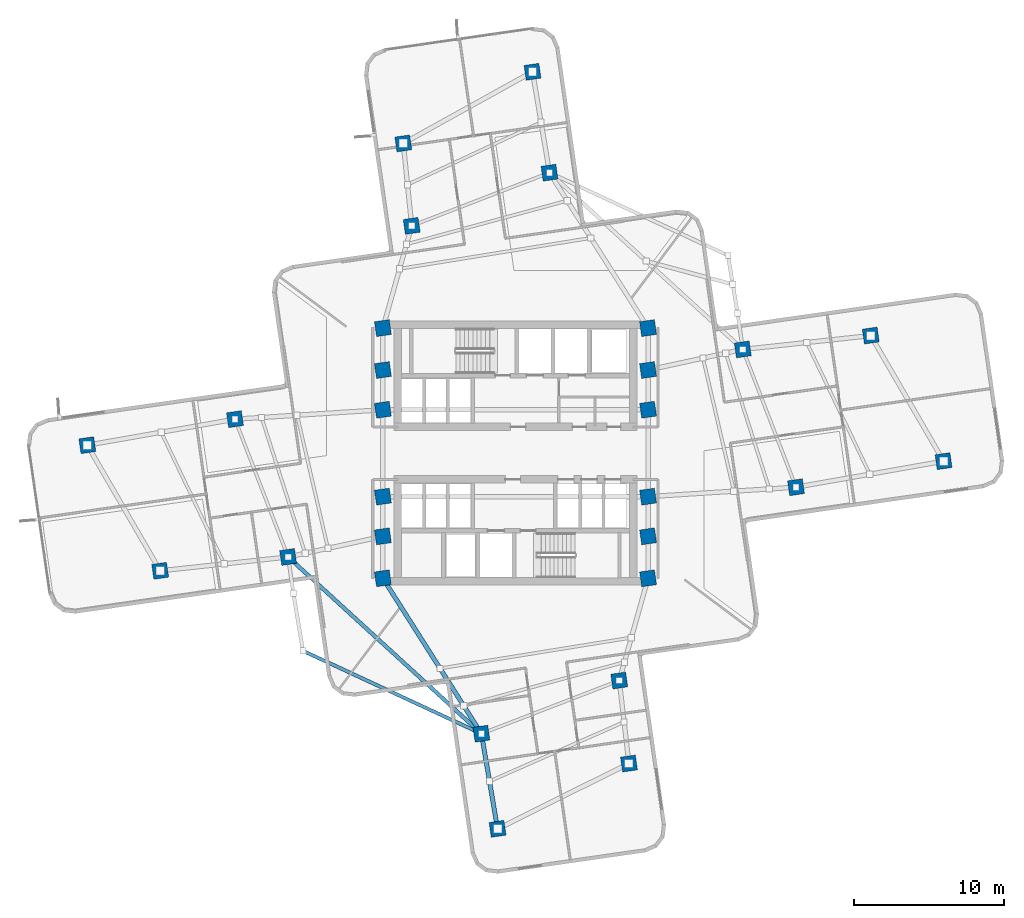
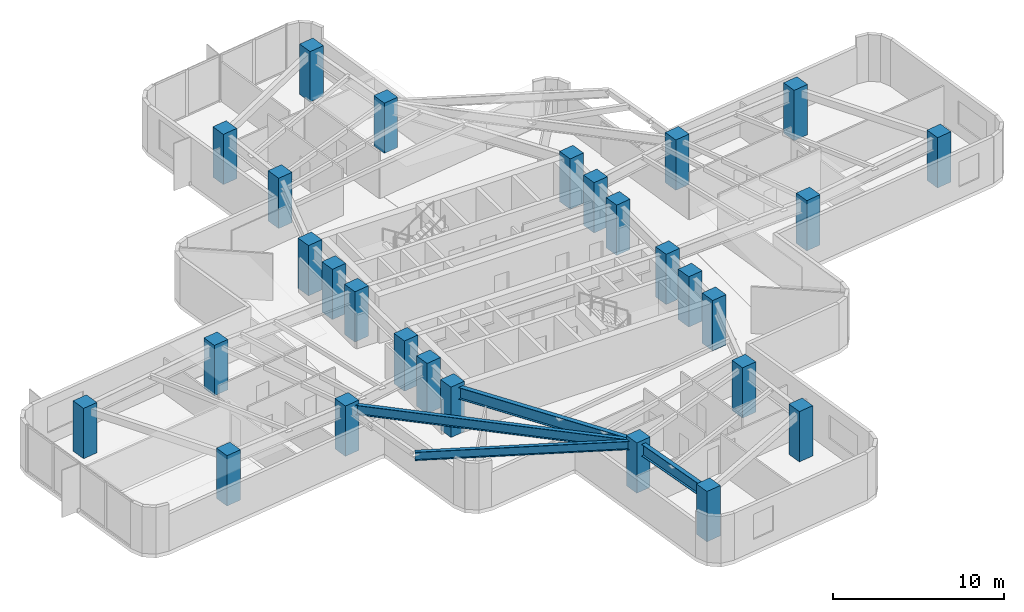
# One storey, part 1 of 13: 28 columns, 4 beams.
"""IFC4 building model written with IfcOpenShell, lengths in metres."""

import ifcopenshell
import ifcopenshell.guid

model = None  # the IFC model being written
_history = None  # IfcOwnerHistory: only IFC2X3 demands one
_inside = {}  # id of a spatial element -> (the spatial element, [elements in it])
_under = {}  # id of a project, library or spatial element -> (it, [spatial elements below it])
_declared = {}  # id of a project -> (the project, [libraries it declares])
_typed = {}  # id of a type object -> (the type object, [elements of that type])
_made_of = {}  # id of a material, layer set ... -> (it, [elements and type objects made of it])


def new_model(schema):
    """Start an empty IFC model of exactly this schema.

    Asked for "IFC4X3", IfcOpenShell would pick the latest addendum, in which some entities
    have other attributes; the version numbers below select the first issue.
    IFC2X3 requires an IfcOwnerHistory on every rooted entity: one is made here for all.
    """
    global model, _history
    if schema == "IFC4X3":
        model = ifcopenshell.file(schema_version=(4, 3, 0, 0))
    else:
        model = ifcopenshell.file(schema=schema)
    _inside.clear()
    _under.clear()
    _declared.clear()
    _typed.clear()
    _made_of.clear()
    _history = None
    if model.schema == "IFC2X3":
        org = make("IfcOrganization", Name="unknown")
        user = make(
            "IfcPersonAndOrganization",
            ThePerson=make("IfcPerson", FamilyName="unknown"),
            TheOrganization=org,
        )
        app = make(
            "IfcApplication",
            ApplicationDeveloper=org,
            Version="unknown",
            ApplicationFullName="unknown",
            ApplicationIdentifier="unknown",
        )
        _history = make(
            "IfcOwnerHistory",
            OwningUser=user,
            OwningApplication=app,
            ChangeAction="ADDED",
            CreationDate=0,
        )
    return model


def make(cls, **values):
    """One entity of the class cls with the attributes given. An attribute that is None is left unset."""
    return model.create_entity(
        cls, **{name: value for name, value in values.items() if value is not None}
    )


def rooted(cls, **values):
    """An entity with a GlobalId (a new one), such as an element, a storey or a relation."""
    return make(cls, GlobalId=ifcopenshell.guid.new(), OwnerHistory=_history, **values)


def si_unit(unit_type, name, prefix=None):
    """IfcSIUnit, for example si_unit("LENGTHUNIT", "METRE", prefix="MILLI")."""
    return make("IfcSIUnit", UnitType=unit_type, Prefix=prefix, Name=name)


def assignment(units):
    """IfcUnitAssignment: the units of a project."""
    return None if units is None else make("IfcUnitAssignment", Units=units)


def point(xyz):
    """IfcCartesianPoint."""
    return None if xyz is None else make("IfcCartesianPoint", Coordinates=xyz)


def direction(xyz):
    """IfcDirection."""
    return None if xyz is None else make("IfcDirection", DirectionRatios=xyz)


def frame(location, z_axis=None, x_axis=None):
    """IfcAxis2Placement3D, a coordinate frame: its origin and axes. An axis left out is left unset."""
    return make(
        "IfcAxis2Placement3D",
        Location=point(location),
        Axis=direction(z_axis),
        RefDirection=direction(x_axis),
    )


def frame_2d(location, x_axis=None):
    """IfcAxis2Placement2D, a coordinate frame in the plane: its origin and x axis."""
    return make(
        "IfcAxis2Placement2D", Location=point(location), RefDirection=direction(x_axis)
    )


def origin():
    """The frame at (0, 0, 0) with its axes left unset."""
    return frame((0.0, 0.0, 0.0))


def origin_2d():
    """The frame at (0, 0) in the plane with its x axis left unset."""
    return frame_2d((0.0, 0.0))


def place(relative_to, where):
    """IfcLocalPlacement: puts the frame where relative to a parent placement (None: the world)."""
    return make(
        "IfcLocalPlacement", PlacementRelTo=relative_to, RelativePlacement=where
    )


def context(
    kind, dimensions, precision=None, world=None, true_north=None, identifier=None
):
    """IfcGeometricRepresentationContext, for example the 3D "Model" context."""
    return make(
        "IfcGeometricRepresentationContext",
        ContextIdentifier=identifier,
        ContextType=kind,
        CoordinateSpaceDimension=dimensions,
        Precision=precision,
        WorldCoordinateSystem=world,
        TrueNorth=true_north,
    )


def subcontext(parent, identifier, kind, view, scale=None):
    """IfcGeometricRepresentationSubContext, for example "Body" below "Model"."""
    return make(
        "IfcGeometricRepresentationSubContext",
        ContextIdentifier=identifier,
        ContextType=kind,
        ParentContext=parent,
        TargetScale=scale,
        TargetView=view,
    )


def project(units=None, contexts=None):
    """IfcProject with its units and contexts."""
    return rooted(
        "IfcProject",
        Name="project",
        RepresentationContexts=contexts,
        UnitsInContext=assignment(units),
    )


def spatial(cls, under=None, at=None, **own):
    """A site, building, storey or space (cls), placed at a placement, below another one or the project."""
    s = rooted(cls, ObjectPlacement=at, **own)
    if under is not None:
        _under.setdefault(under.id(), (under, []))[1].append(s)
    return s


def profile(cls, at=None, kind="AREA", **sizes):
    """A parametric profile (cls). Its sizes go by their IFC names, for example OverallWidth=200.0."""
    return make(cls, ProfileType=kind, Position=at, **sizes)


def rectangle(**sizes):
    """IfcRectangleProfileDef."""
    return profile("IfcRectangleProfileDef", **sizes)


def i_section(**sizes):
    """IfcIShapeProfileDef."""
    return profile("IfcIShapeProfileDef", **sizes)


def extrude(swept, where, along, depth):
    """IfcExtrudedAreaSolid: the profile swept, set in the frame where, extruded along a direction by depth."""
    return make(
        "IfcExtrudedAreaSolid",
        SweptArea=swept,
        Position=where,
        ExtrudedDirection=direction(along),
        Depth=depth,
    )


def shape(context_of_items, identifier, shape_type, items):
    """IfcShapeRepresentation: the items that make up one representation, for example the "Body"."""
    return make(
        "IfcShapeRepresentation",
        ContextOfItems=context_of_items,
        RepresentationIdentifier=identifier,
        RepresentationType=shape_type,
        Items=items,
    )


def material(Name=None, Category=None):
    """IfcMaterial."""
    return make("IfcMaterial", Name=Name, Category=Category)


def material_profile(
    of_material, cross_section, Name=None, Category=None, Priority=None
):
    """IfcMaterialProfile: a cross section and its material."""
    return make(
        "IfcMaterialProfile",
        Name=Name,
        Material=of_material,
        Profile=cross_section,
        Priority=Priority,
        Category=Category,
    )


def profile_set(profiles, Name=None, composite=None):
    """IfcMaterialProfileSet."""
    return make(
        "IfcMaterialProfileSet",
        Name=Name,
        MaterialProfiles=profiles,
        CompositeProfile=composite,
    )


def made_of(thing, what):
    """Note that an element or type object is made of a material, layer set ...; save() writes the relation."""
    if what is not None:
        _made_of.setdefault(what.id(), (what, []))[1].append(thing)
    return thing


def type_object(cls, material=None, **own):
    """A type object (cls), such as IfcWallType, which elements share."""
    return made_of(rooted(cls, **own), material)


def element(
    cls,
    number,
    at=None,
    inside=None,
    cuts=None,
    type_object=None,
    material=None,
    context=None,
    identifier="Body",
    shape_type=None,
    held_by="IfcProductDefinitionShape",
    body=None,
    shapes=None,
    **own,
):
    """One element of the class cls, such as IfcWall. Its Tag is "e" and its number.

    at: its placement. inside: the storey or other place that contains it. cuts: it is an
    opening in that element (IfcRelVoidsElement). A single representation is given by context,
    identifier, shape_type and body (its items); several are given by shapes. held_by: the class
    of the entity that holds the representations. save() writes the other relations.
    """
    e = rooted(cls, Tag="e%d" % number, ObjectPlacement=at, **own)
    if body is not None:
        shapes = [shape(context, identifier, shape_type, body)]
    if shapes is not None:
        e.Representation = make(held_by, Representations=shapes)
    if inside is not None:
        _inside.setdefault(inside.id(), (inside, []))[1].append(e)
    if cuts is not None:
        rooted(
            "IfcRelVoidsElement", RelatingBuildingElement=cuts, RelatedOpeningElement=e
        )
    if type_object is not None:
        _typed.setdefault(type_object.id(), (type_object, []))[1].append(e)
    return made_of(e, material)


def aggregate(whole, parts):
    """IfcRelAggregates: a whole, such as a stair, and the parts it consists of."""
    return rooted("IfcRelAggregates", RelatingObject=whole, RelatedObjects=parts)


def save(model, path):
    """Write the relations noted so far, then the file.

    IfcRelAggregates (storeys below a building ...), IfcRelContainedInSpatialStructure (elements
    in a storey), IfcRelDefinesByType, IfcRelAssociatesMaterial and IfcRelDeclares: one each for
    every whole, place, type object, material and project.
    """
    for whole, parts in _under.values():
        aggregate(whole, parts)
    for where, things in _inside.values():
        rooted(
            "IfcRelContainedInSpatialStructure",
            RelatedElements=things,
            RelatingStructure=where,
        )
    for kind, things in _typed.values():
        rooted("IfcRelDefinesByType", RelatedObjects=things, RelatingType=kind)
    for what, things in _made_of.values():
        rooted("IfcRelAssociatesMaterial", RelatedObjects=things, RelatingMaterial=what)
    for by, libraries in _declared.values():
        rooted("IfcRelDeclares", RelatingContext=by, RelatedDefinitions=libraries)
    model.write(path)


model = new_model("IFC4")

# Units and contexts
model_context = context("Model", 3, precision=1e-05, world=origin(), true_north=direction((0.0, 1.0)))
body_context = subcontext(model_context, "Body", "Model", "MODEL_VIEW")
ifc_project = project(units=[si_unit("LENGTHUNIT", "METRE"), si_unit("AREAUNIT", "SQUARE_METRE"), si_unit("VOLUMEUNIT", "CUBIC_METRE"), si_unit("PLANEANGLEUNIT", "RADIAN"), si_unit("MASSUNIT", "GRAM", prefix="KILO")], contexts=[model_context])

# Site, building, storey
site_placement = place(None, origin())
site = spatial("IfcSite", under=ifc_project, at=site_placement, CompositionType="ELEMENT")
building_placement = place(site_placement, origin())
building = spatial("IfcBuilding", under=site, at=building_placement, Name="Solmarez Civic Tower", CompositionType="ELEMENT")
storey_placement = place(building_placement, frame((0.0, 0.0, 89.280029296875)))
storey = spatial("IfcBuildingStorey", under=building, at=storey_placement, Name="L23", CompositionType="ELEMENT", Elevation=89.280029296875)

# Columns
ifc_material_1 = material(Name="Concrete C60/75", Category="concrete")
ifc_material_profile_1 = material_profile(ifc_material_1, rectangle(XDim=1.0, YDim=1.0, at=origin_2d()), Name="RC1000X1000")
ifc_profile_set_1 = profile_set([ifc_material_profile_1], Name="Concrete C60/75")
column_type = type_object("IfcColumnType", Name="COL-RC1000", PredefinedType="COLUMN", material=ifc_profile_set_1)
for number, where, z_axis, x_axis, name in (
    (1, (-8.85009765625, -5.550048828125, 0.0), (0.0, 0.0, 1.0), (0.989776230908, 0.142628933706, 0.0), "L23 Structural Column HC1"),
    (2, (-8.85009765625, -2.89990234375, 0.0), (0.0, 0.0, 1.0), (0.989776230908, 0.142628933706, 0.0), "L23 Structural Column HC2"),
    (3, (-8.85009765625, 2.89990234375, 0.0), (0.0, 0.0, 1.0), (0.989776230908, 0.142628933706, 0.0), "L23 Structural Column HC3"),
    (4, (-8.85009765625, 5.550048828125, 0.0), (0.0, 0.0, 1.0), (0.989776230908, 0.142628933706, 0.0), "L23 Structural Column HC4"),
    (5, (8.85009765625, -5.550048828125, 0.0), (0.0, 0.0, 1.0), (0.989776230908, 0.142628933706, 0.0), "L23 Structural Column HC5"),
    (6, (8.85009765625, -2.89990234375, 0.0), (0.0, 0.0, 1.0), (0.989776230908, 0.142628933706, 0.0), "L23 Structural Column HC6"),
    (7, (8.85009765625, 2.89990234375, 0.0), (0.0, 0.0, 1.0), (0.989776230908, 0.142628933706, 0.0), "L23 Structural Column HC7"),
    (8, (8.85009765625, 5.550048828125, 0.0), (0.0, 0.0, 1.0), (0.989776230908, 0.142628933706, 0.0), "L23 Structural Column HC8"),
    (9, (-8.85009765625, 8.35009765625, 0.0), (0.0, 0.0, 1.0), (0.989776230908, 0.142628933706, 0.0), "L23 Structural Column HC9"),
    (10, (8.85009765625, -8.35009765625, 0.0), (0.0, 0.0, 1.0), (0.989776230908, 0.142628933706, 0.0), "L23 Structural Column HC10"),
    (11, (8.85009765625, 8.35009765625, 0.0), (0.0, 0.0, 1.0), (0.989776230908, 0.142628933706, 0.0), "L23 Structural Column HC11"),
    (12, (-8.85009765625, -8.35009765625, 0.0), (0.0, 0.0, 1.0), (0.989776230908, 0.142628933706, 0.0), "L23 Structural Column HC12"),
    (13, (18.72412109375, -2.27099609375, 0.0), (0.0, 0.0, 1.0), (0.989776230908, 0.142628933706, 0.0), "L23 Structural Column EA11"),
    (14, (15.175048828125, 6.927001953125, 0.0), (0.0, 0.0, 1.0), (0.989776230908, 0.142628933706, 0.0), "L23 Structural Column EA12"),
    (15, (28.575927734375, -0.532958984375, 0.0), (0.0, 0.0, 1.0), (0.989776230908, 0.142628933706, 0.0), "L23 Structural Column EA21"),
    (16, (23.715087890625, 7.85107421875, 0.0), (0.0, 0.0, 1.0), (0.989776230908, 0.142628933706, 0.0), "L23 Structural Column EA22"),
    (17, (2.27099609375, 18.72412109375, 0.0), (0.0, 0.0, 1.0), (0.989776230908, 0.142628933706, 0.0), "L23 Structural Column NA11"),
    (18, (-6.927001953125, 15.175048828125, 0.0), (0.0, 0.0, 1.0), (0.989776230908, 0.142628933706, 0.0), "L23 Structural Column NA12"),
    (19, (1.138916015625, 25.45703125, 0.0), (0.0, 0.0, 1.0), (0.989776230908, 0.142628933706, 0.0), "L23 Structural Column NA21"),
    (20, (-7.489013671875, 20.678955078125, 0.0), (0.0, 0.0, 1.0), (0.989776230908, 0.142628933706, 0.0), "L23 Structural Column NA22"),
    (21, (-18.72412109375, 2.27099609375, 0.0), (0.0, 0.0, 1.0), (0.989776230908, 0.142628933706, 0.0), "L23 Structural Column WA11"),
    (22, (-15.175048828125, -6.927001953125, 0.0), (0.0, 0.0, 1.0), (0.989776230908, 0.142628933706, 0.0), "L23 Structural Column WA12"),
    (23, (-28.575927734375, 0.532958984375, 0.0), (0.0, 0.0, 1.0), (0.989776230908, 0.142628933706, 0.0), "L23 Structural Column WA21"),
    (24, (-23.715087890625, -7.85107421875, 0.0), (0.0, 0.0, 1.0), (0.989776230908, 0.142628933706, 0.0), "L23 Structural Column WA22"),
    (25, (-2.27099609375, -18.72412109375, 0.0), (0.0, 0.0, 1.0), (0.989776230908, 0.142628933706, 0.0), "L23 Structural Column SA11"),
    (26, (6.927001953125, -15.175048828125, 0.0), (0.0, 0.0, 1.0), (0.989776230908, 0.142628933706, 0.0), "L23 Structural Column SA12"),
    (27, (-1.195068359375, -25.073974609375, 0.0), (0.0, 0.0, 1.0), (0.989776230908, 0.142628933706, 0.0), "L23 Structural Column SA21"),
    (28, (7.573974609375, -20.714111328125, 0.0), (0.0, 0.0, 1.0), (0.989776230908, 0.142628933706, 0.0), "L23 Structural Column SA22"),
):
    element("IfcColumn", number, at=place(storey_placement, frame(where, z_axis=z_axis, x_axis=x_axis)), inside=storey, type_object=column_type, Name=name, PredefinedType="COLUMN", context=body_context, shape_type="SweptSolid", body=[
        extrude(rectangle(XDim=1.0, YDim=1.0, at=origin_2d()), origin(), (0.0, 0.0, 1.0), 3.599853515625),
    ])

# Beams
ifc_material_2 = material(Name="Steel S355", Category="steel")
ifc_material_profile_2 = material_profile(ifc_material_2, i_section(OverallWidth=0.25390625, OverallDepth=0.68798828125, WebThickness=0.01318359375, FlangeThickness=0.02099609375, at=origin_2d()), Name="W27X102")
ifc_profile_set_2 = profile_set([ifc_material_profile_2], Name="Steel S355")
beam_type_1 = type_object("IfcBeamType", Name="BM-PR-W27X102", PredefinedType="BEAM", material=ifc_profile_set_2)
beam_1_placement = place(storey_placement, frame((-15.175048828125, -6.927001953125, 2.995849609375), z_axis=(0.738053646973, -0.674742035292, 0.0), x_axis=(0.674742035292, 0.738053646973, 0.0)))
element("IfcBeam", 29, at=beam_1_placement, inside=storey, type_object=beam_type_1, Name="L23 Primary Floor Beam BM-L23-BALC-SWC", PredefinedType="BEAM", context=body_context, shape_type="SweptSolid", body=[
    extrude(i_section(OverallWidth=0.25390625, OverallDepth=0.68798828125, WebThickness=0.01318359375, FlangeThickness=0.02099609375, at=origin_2d()), origin(), (0.0, 0.0, 1.0), 17.48388671875),
])
ifc_material_profile_3 = material_profile(ifc_material_2, i_section(OverallWidth=0.2919921875, OverallDepth=0.845947265625, WebThickness=0.015380859375, FlangeThickness=0.0244140625, at=origin_2d()), Name="W33X141")
ifc_profile_set_3 = profile_set([ifc_material_profile_3], Name="Steel S355")
beam_type_2 = type_object("IfcBeamType", Name="BM-PR-W33X141", PredefinedType="BEAM", material=ifc_profile_set_3)
beam_2_placement = place(storey_placement, frame((-8.85009765625, -8.35009765625, 2.9169921875), z_axis=(0.535568299099, -0.84449191648, 0.0), x_axis=(0.84449191648, 0.535568299099, 0.0)))
element("IfcBeam", 30, at=beam_2_placement, inside=storey, type_object=beam_type_2, Name="L23 Primary Floor Beam BM-L23-SA-R1A", PredefinedType="BEAM", context=body_context, shape_type="SweptSolid", body=[
    extrude(i_section(OverallWidth=0.2919921875, OverallDepth=0.845947265625, WebThickness=0.015380859375, FlangeThickness=0.0244140625, at=origin_2d()), origin(), (0.0, 0.0, 1.0), 12.284423828125),
])
beam_3_placement = place(storey_placement, frame((-2.27099609375, -18.72412109375, 2.9169921875), z_axis=(0.167060138422, -0.985946707561, 0.0), x_axis=(0.985946707561, 0.167060138422, 0.0)))
element("IfcBeam", 31, at=beam_3_placement, inside=storey, type_object=beam_type_2, Name="L23 Primary Floor Beam BM-L23-SA-R2A", PredefinedType="BEAM", context=body_context, shape_type="SweptSolid", body=[
    extrude(i_section(OverallWidth=0.2919921875, OverallDepth=0.845947265625, WebThickness=0.015380859375, FlangeThickness=0.0244140625, at=origin_2d()), origin(), (0.0, 0.0, 1.0), 6.4404296875),
])
ifc_material_profile_4 = material_profile(ifc_material_2, i_section(OverallWidth=0.22900390625, OverallDepth=0.612060546875, WebThickness=0.011962890625, FlangeThickness=0.01953125, at=origin_2d()), Name="W24X84")
ifc_profile_set_4 = profile_set([ifc_material_profile_4], Name="Steel S355")
beam_type_3 = type_object("IfcBeamType", Name="BM-SP-W24X84", PredefinedType="SPANDREL", material=ifc_profile_set_4)
beam_4_placement = place(storey_placement, frame((-2.27099609375, -18.72412109375, 3.033935546875), z_axis=(-0.907065750802, 0.420988982899, 0.0), x_axis=(-0.420988982899, -0.907065750802, 0.0)))
element("IfcBeam", 32, at=beam_4_placement, inside=storey, type_object=beam_type_3, Name="L23 Perimeter Spandrel Beam BM-L23-BALC-SW2", PredefinedType="SPANDREL", context=body_context, shape_type="SweptSolid", body=[
    extrude(i_section(OverallWidth=0.22900390625, OverallDepth=0.612060546875, WebThickness=0.011962890625, FlangeThickness=0.01953125, at=origin_2d()), origin(), (0.0, 0.0, 1.0), 13.1357421875),
])

save(model, "model.ifc")
